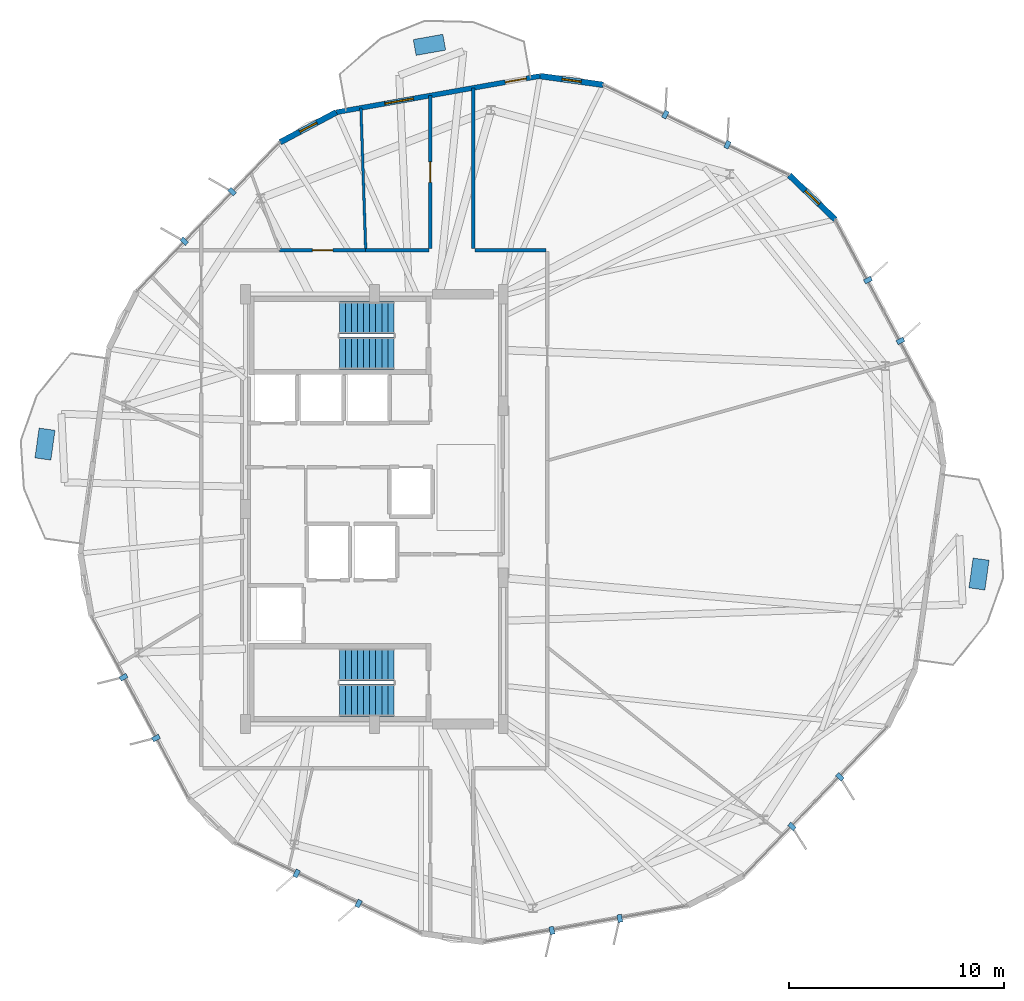
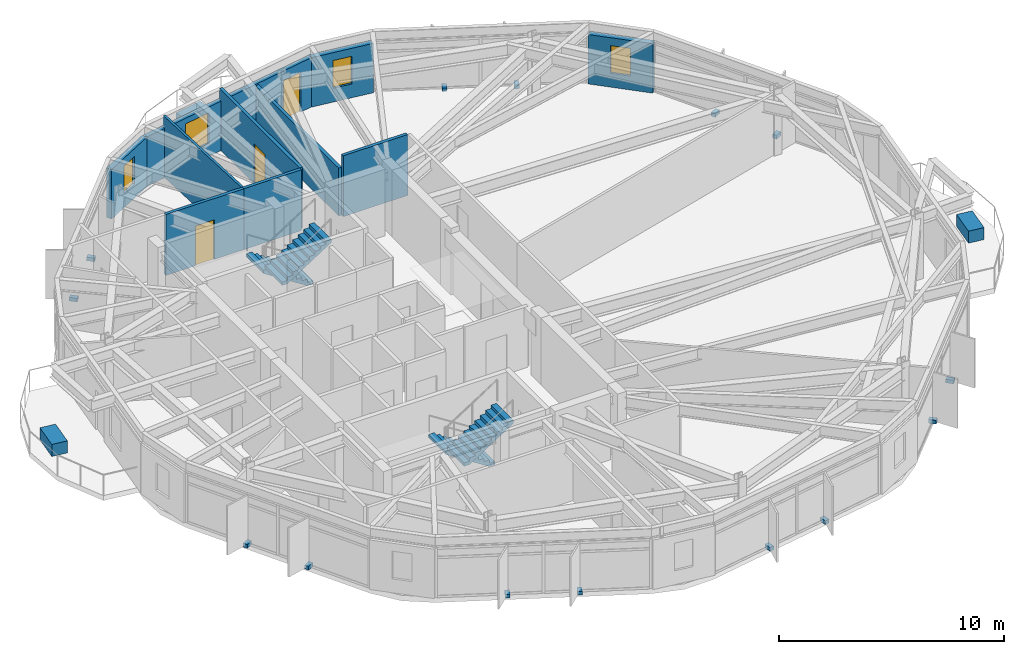
# One storey, part 25 of 28: 17 discrete accessories, 10 walls, 4 stair flights, 4 windows, 3 doors, 7 openings, 2 elements without a shape of their own.
"""IFC4 building model written with IfcOpenShell, lengths in metres."""

import ifcopenshell
import ifcopenshell.guid

model = None  # the IFC model being written
_history = None  # IfcOwnerHistory: only IFC2X3 demands one
_inside = {}  # id of a spatial element -> (the spatial element, [elements in it])
_under = {}  # id of a project, library or spatial element -> (it, [spatial elements below it])
_declared = {}  # id of a project -> (the project, [libraries it declares])
_typed = {}  # id of a type object -> (the type object, [elements of that type])
_made_of = {}  # id of a material, layer set ... -> (it, [elements and type objects made of it])


def new_model(schema):
    """Start an empty IFC model of exactly this schema.

    Asked for "IFC4X3", IfcOpenShell would pick the latest addendum, in which some entities
    have other attributes; the version numbers below select the first issue.
    IFC2X3 requires an IfcOwnerHistory on every rooted entity: one is made here for all.
    """
    global model, _history
    if schema == "IFC4X3":
        model = ifcopenshell.file(schema_version=(4, 3, 0, 0))
    else:
        model = ifcopenshell.file(schema=schema)
    _inside.clear()
    _under.clear()
    _declared.clear()
    _typed.clear()
    _made_of.clear()
    _history = None
    if model.schema == "IFC2X3":
        org = make("IfcOrganization", Name="unknown")
        user = make(
            "IfcPersonAndOrganization",
            ThePerson=make("IfcPerson", FamilyName="unknown"),
            TheOrganization=org,
        )
        app = make(
            "IfcApplication",
            ApplicationDeveloper=org,
            Version="unknown",
            ApplicationFullName="unknown",
            ApplicationIdentifier="unknown",
        )
        _history = make(
            "IfcOwnerHistory",
            OwningUser=user,
            OwningApplication=app,
            ChangeAction="ADDED",
            CreationDate=0,
        )
    return model


def make(cls, **values):
    """One entity of the class cls with the attributes given. An attribute that is None is left unset."""
    return model.create_entity(
        cls, **{name: value for name, value in values.items() if value is not None}
    )


def rooted(cls, **values):
    """An entity with a GlobalId (a new one), such as an element, a storey or a relation."""
    return make(cls, GlobalId=ifcopenshell.guid.new(), OwnerHistory=_history, **values)


def si_unit(unit_type, name, prefix=None):
    """IfcSIUnit, for example si_unit("LENGTHUNIT", "METRE", prefix="MILLI")."""
    return make("IfcSIUnit", UnitType=unit_type, Prefix=prefix, Name=name)


def assignment(units):
    """IfcUnitAssignment: the units of a project."""
    return None if units is None else make("IfcUnitAssignment", Units=units)


def point(xyz):
    """IfcCartesianPoint."""
    return None if xyz is None else make("IfcCartesianPoint", Coordinates=xyz)


def direction(xyz):
    """IfcDirection."""
    return None if xyz is None else make("IfcDirection", DirectionRatios=xyz)


def frame(location, z_axis=None, x_axis=None):
    """IfcAxis2Placement3D, a coordinate frame: its origin and axes. An axis left out is left unset."""
    return make(
        "IfcAxis2Placement3D",
        Location=point(location),
        Axis=direction(z_axis),
        RefDirection=direction(x_axis),
    )


def frame_2d(location, x_axis=None):
    """IfcAxis2Placement2D, a coordinate frame in the plane: its origin and x axis."""
    return make(
        "IfcAxis2Placement2D", Location=point(location), RefDirection=direction(x_axis)
    )


def origin():
    """The frame at (0, 0, 0) with its axes left unset."""
    return frame((0.0, 0.0, 0.0))


def origin_2d():
    """The frame at (0, 0) in the plane with its x axis left unset."""
    return frame_2d((0.0, 0.0))


def place(relative_to, where):
    """IfcLocalPlacement: puts the frame where relative to a parent placement (None: the world)."""
    return make(
        "IfcLocalPlacement", PlacementRelTo=relative_to, RelativePlacement=where
    )


def context(
    kind, dimensions, precision=None, world=None, true_north=None, identifier=None
):
    """IfcGeometricRepresentationContext, for example the 3D "Model" context."""
    return make(
        "IfcGeometricRepresentationContext",
        ContextIdentifier=identifier,
        ContextType=kind,
        CoordinateSpaceDimension=dimensions,
        Precision=precision,
        WorldCoordinateSystem=world,
        TrueNorth=true_north,
    )


def subcontext(parent, identifier, kind, view, scale=None):
    """IfcGeometricRepresentationSubContext, for example "Body" below "Model"."""
    return make(
        "IfcGeometricRepresentationSubContext",
        ContextIdentifier=identifier,
        ContextType=kind,
        ParentContext=parent,
        TargetScale=scale,
        TargetView=view,
    )


def project(units=None, contexts=None):
    """IfcProject with its units and contexts."""
    return rooted(
        "IfcProject",
        Name="project",
        RepresentationContexts=contexts,
        UnitsInContext=assignment(units),
    )


def spatial(cls, under=None, at=None, **own):
    """A site, building, storey or space (cls), placed at a placement, below another one or the project."""
    s = rooted(cls, ObjectPlacement=at, **own)
    if under is not None:
        _under.setdefault(under.id(), (under, []))[1].append(s)
    return s


def polyline(points):
    """IfcPolyline through the points."""
    return make("IfcPolyline", Points=[point(p) for p in points])


def profile(cls, at=None, kind="AREA", **sizes):
    """A parametric profile (cls). Its sizes go by their IFC names, for example OverallWidth=200.0."""
    return make(cls, ProfileType=kind, Position=at, **sizes)


def rectangle(**sizes):
    """IfcRectangleProfileDef."""
    return profile("IfcRectangleProfileDef", **sizes)


def outline(outer, holes=None, kind="AREA"):
    """IfcArbitraryClosedProfileDef: a profile drawn as a closed curve; with holes, ...WithVoids."""
    if holes is None:
        return make("IfcArbitraryClosedProfileDef", ProfileType=kind, OuterCurve=outer)
    return make(
        "IfcArbitraryProfileDefWithVoids",
        ProfileType=kind,
        OuterCurve=outer,
        InnerCurves=holes,
    )


def extrude(swept, where, along, depth):
    """IfcExtrudedAreaSolid: the profile swept, set in the frame where, extruded along a direction by depth."""
    return make(
        "IfcExtrudedAreaSolid",
        SweptArea=swept,
        Position=where,
        ExtrudedDirection=direction(along),
        Depth=depth,
    )


def shape(context_of_items, identifier, shape_type, items):
    """IfcShapeRepresentation: the items that make up one representation, for example the "Body"."""
    return make(
        "IfcShapeRepresentation",
        ContextOfItems=context_of_items,
        RepresentationIdentifier=identifier,
        RepresentationType=shape_type,
        Items=items,
    )


def material(Name=None, Category=None):
    """IfcMaterial."""
    return make("IfcMaterial", Name=Name, Category=Category)


def layer(
    of_material, thickness, ventilated=None, Name=None, Category=None, Priority=None
):
    """IfcMaterialLayer: one layer of a wall or slab, of a material (None: an air gap)."""
    return make(
        "IfcMaterialLayer",
        Material=of_material,
        LayerThickness=thickness,
        IsVentilated=ventilated,
        Name=Name,
        Category=Category,
        Priority=Priority,
    )


def layer_set(layers, Name=None):
    """IfcMaterialLayerSet."""
    return make("IfcMaterialLayerSet", MaterialLayers=layers, LayerSetName=Name)


def made_of(thing, what):
    """Note that an element or type object is made of a material, layer set ...; save() writes the relation."""
    if what is not None:
        _made_of.setdefault(what.id(), (what, []))[1].append(thing)
    return thing


def type_object(cls, material=None, **own):
    """A type object (cls), such as IfcWallType, which elements share."""
    return made_of(rooted(cls, **own), material)


def element(
    cls,
    number,
    at=None,
    inside=None,
    cuts=None,
    type_object=None,
    material=None,
    context=None,
    identifier="Body",
    shape_type=None,
    held_by="IfcProductDefinitionShape",
    body=None,
    shapes=None,
    **own,
):
    """One element of the class cls, such as IfcWall. Its Tag is "e" and its number.

    at: its placement. inside: the storey or other place that contains it. cuts: it is an
    opening in that element (IfcRelVoidsElement). A single representation is given by context,
    identifier, shape_type and body (its items); several are given by shapes. held_by: the class
    of the entity that holds the representations. save() writes the other relations.
    """
    e = rooted(cls, Tag="e%d" % number, ObjectPlacement=at, **own)
    if body is not None:
        shapes = [shape(context, identifier, shape_type, body)]
    if shapes is not None:
        e.Representation = make(held_by, Representations=shapes)
    if inside is not None:
        _inside.setdefault(inside.id(), (inside, []))[1].append(e)
    if cuts is not None:
        rooted(
            "IfcRelVoidsElement", RelatingBuildingElement=cuts, RelatedOpeningElement=e
        )
    if type_object is not None:
        _typed.setdefault(type_object.id(), (type_object, []))[1].append(e)
    return made_of(e, material)


def fill(opening, filler):
    """IfcRelFillsElement: the door or window that sits in an opening."""
    return rooted(
        "IfcRelFillsElement",
        RelatingOpeningElement=opening,
        RelatedBuildingElement=filler,
    )


def aggregate(whole, parts):
    """IfcRelAggregates: a whole, such as a stair, and the parts it consists of."""
    return rooted("IfcRelAggregates", RelatingObject=whole, RelatedObjects=parts)


def save(model, path):
    """Write the relations noted so far, then the file.

    IfcRelAggregates (storeys below a building ...), IfcRelContainedInSpatialStructure (elements
    in a storey), IfcRelDefinesByType, IfcRelAssociatesMaterial and IfcRelDeclares: one each for
    every whole, place, type object, material and project.
    """
    for whole, parts in _under.values():
        aggregate(whole, parts)
    for where, things in _inside.values():
        rooted(
            "IfcRelContainedInSpatialStructure",
            RelatedElements=things,
            RelatingStructure=where,
        )
    for kind, things in _typed.values():
        rooted("IfcRelDefinesByType", RelatedObjects=things, RelatingType=kind)
    for what, things in _made_of.values():
        rooted("IfcRelAssociatesMaterial", RelatedObjects=things, RelatingMaterial=what)
    for by, libraries in _declared.values():
        rooted("IfcRelDeclares", RelatingContext=by, RelatedDefinitions=libraries)
    model.write(path)


model = new_model("IFC4")

# Units and contexts
model_context = context("Model", 3, precision=1e-05, world=origin(), true_north=direction((0.0, 1.0)))
body_context = subcontext(model_context, "Body", "Model", "MODEL_VIEW")
ifc_project = project(units=[si_unit("LENGTHUNIT", "METRE"), si_unit("AREAUNIT", "SQUARE_METRE"), si_unit("VOLUMEUNIT", "CUBIC_METRE"), si_unit("PLANEANGLEUNIT", "RADIAN"), si_unit("MASSUNIT", "GRAM", prefix="KILO")], contexts=[model_context])

# Site, building, storey
site_placement = place(None, origin())
site = spatial("IfcSite", under=ifc_project, at=site_placement, CompositionType="ELEMENT")
building_placement = place(site_placement, origin())
building = spatial("IfcBuilding", under=site, at=building_placement, Name="Soratama Intermodal Tower", CompositionType="ELEMENT")
storey_placement = place(building_placement, frame((0.0, 0.0, 205.0)))
storey = spatial("IfcBuildingStorey", under=building, at=storey_placement, Name="L51", CompositionType="ELEMENT", Elevation=205.0)

# Wall, openings, door, window
ifc_material_1 = material(Name="Concrete f'c 42 MPa", Category="concrete")
ifc_layer_1 = layer(ifc_material_1, 0.22998046875)
ifc_layer_set_1 = layer_set([ifc_layer_1], Name="Concrete f'c 42 MPa")
wall_type_1 = type_object("IfcWallType", Name="EW-BAL-230", PredefinedType="SOLIDWALL", material=ifc_layer_set_1)
wall_1_placement = place(storey_placement, frame((46.3056640625, 45.1494140625, 0.0), z_axis=(0.0, 0.0, 1.0), x_axis=(-0.984566490569, -0.175010930084, 0.0)))
wall_1 = element("IfcWall", 1, at=wall_1_placement, inside=storey, type_object=wall_type_1, Name="L51 Terrace Wall F02", PredefinedType="SOLIDWALL", context=body_context, shape_type="SweptSolid", body=[
    extrude(rectangle(XDim=9.6240234375, YDim=0.22998046875, at=frame_2d((4.81201171875, 0.0))), origin(), (0.0, 0.0, 1.0), 2.678955078125),
])
opening_1_placement = place(wall_1_placement, frame((0.64990234375, 0.0, 0.0)))
opening_1 = element("IfcOpeningElement", 2, at=opening_1_placement, cuts=wall_1, Name="Opening ED-2", PredefinedType="OPENING", context=body_context, shape_type="SweptSolid", body=[
    extrude(rectangle(XDim=1.0, YDim=2.14990234375, at=frame_2d((0.5, 1.074951171875))), frame((0.0, 0.125, 0.0), z_axis=(0.0, -1.0, 0.0), x_axis=(1.0, 0.0, 0.0)), (0.0, 0.0, 1.0), 0.25),
])
opening_2_placement = place(wall_1_placement, frame((5.986083984375, 0.0, 0.719970703125)))
opening_2 = element("IfcOpeningElement", 3, at=opening_2_placement, cuts=wall_1, Name="Opening WN-4", PredefinedType="OPENING", context=body_context, shape_type="SweptSolid", body=[
    extrude(rectangle(XDim=1.35009765625, YDim=1.64990234375, at=frame_2d((0.675048828125, 0.824951171875))), frame((0.0, 0.125, 0.0), z_axis=(0.0, -1.0, 0.0), x_axis=(1.0, 0.0, 0.0)), (0.0, 0.0, 1.0), 0.25),
])
ifc_material_2 = material(Name="Double-glazed aluminium door", Category="aluminium")
door_type_1 = type_object("IfcDoorType", Name="DR-BAL-1000", OperationType="NOTDEFINED", PredefinedType="DOOR", material=ifc_material_2)
door_1_placement = place(opening_1_placement, origin())
door_1 = element("IfcDoor", 4, at=door_1_placement, inside=storey, type_object=door_type_1, Name="L51 Balcony Door F02", OperationType="SINGLE_SWING_RIGHT", OverallHeight=2.14990234375, OverallWidth=1.0, PredefinedType="DOOR", context=body_context, shape_type="SweptSolid", body=[
    extrude(rectangle(XDim=1.0, YDim=2.14990234375, at=frame_2d((0.5, 1.074951171875))), frame((0.0, 0.02490234375, 0.0), z_axis=(0.0, -1.0, 0.0), x_axis=(1.0, 0.0, 0.0)), (0.0, 0.0, 1.0), 0.050048828125),
])
fill(opening_1, door_1)
ifc_material_3 = material(Name="Double-glazed aluminium window", Category="aluminium")
window_type_1 = type_object("IfcWindowType", Name="WN-FAC-1350", PartitioningType="SINGLE_PANEL", PredefinedType="WINDOW", material=ifc_material_3)
window_1_placement = place(opening_2_placement, origin())
window_1 = element("IfcWindow", 5, at=window_1_placement, inside=storey, type_object=window_type_1, Name="L51 Window B F02", OverallHeight=1.64990234375, OverallWidth=1.35009765625, PartitioningType="SINGLE_PANEL", PredefinedType="WINDOW", context=body_context, shape_type="SweptSolid", body=[
    extrude(rectangle(XDim=1.35009765625, YDim=1.64990234375, at=frame_2d((0.675048828125, 0.824951171875))), frame((0.0, 0.030029296875, 0.0), z_axis=(0.0, -1.0, 0.0), x_axis=(1.0, 0.0, 0.0)), (0.0, 0.0, 1.0), 0.06005859375),
])
fill(opening_2, window_1)

# Wall, opening, window
ifc_material_4 = material(Name="Concrete f'c 42 MPa", Category="concrete")
ifc_layer_2 = layer(ifc_material_4, 0.27001953125)
ifc_layer_set_2 = layer_set([ifc_layer_2], Name="Concrete f'c 42 MPa")
wall_type_2 = type_object("IfcWallType", Name="EW-CRN-270", PredefinedType="SOLIDWALL", material=ifc_layer_set_2)
wall_2_placement = place(storey_placement, frame((49.243896484375, 44.74072265625, 0.0), z_axis=(0.0, 0.0, 1.0), x_axis=(-0.990464529439, 0.137767978586, 0.0)))
wall_2 = element("IfcWall", 6, at=wall_2_placement, inside=storey, type_object=wall_type_2, Name="L51 Corner Closure Wall 01", PredefinedType="SOLIDWALL", context=body_context, shape_type="SweptSolid", body=[
    extrude(rectangle(XDim=2.966552734375, YDim=0.27001953125, at=frame_2d((1.4833984375, 0.0))), origin(), (0.0, 0.0, 1.0), 2.678955078125),
])
opening_3_placement = place(wall_2_placement, frame((1.033203125, 0.0, 0.75)))
opening_3 = element("IfcOpeningElement", 7, at=opening_3_placement, cuts=wall_2, Name="Opening WN-6", PredefinedType="OPENING", context=body_context, shape_type="SweptSolid", body=[
    extrude(rectangle(XDim=0.89990234375, YDim=1.5, at=frame_2d((0.449951171875, 0.75))), frame((0.0, 0.14501953125, 0.0), z_axis=(0.0, -1.0, 0.0), x_axis=(1.0, 0.0, 0.0)), (0.0, 0.0, 1.0), 0.2900390625),
])
ifc_material_5 = material(Name="Double-glazed aluminium window", Category="aluminium")
window_type_2 = type_object("IfcWindowType", Name="WN-FAC-900", PartitioningType="SINGLE_PANEL", PredefinedType="WINDOW", material=ifc_material_5)
window_2_placement = place(opening_3_placement, origin())
window_2 = element("IfcWindow", 8, at=window_2_placement, inside=storey, type_object=window_type_2, Name="L51 Corner Window 01", OverallHeight=1.5, OverallWidth=0.89990234375, PartitioningType="SINGLE_PANEL", PredefinedType="WINDOW", context=body_context, shape_type="SweptSolid", body=[
    extrude(rectangle(XDim=0.89990234375, YDim=1.5, at=frame_2d((0.449951171875, 0.75))), frame((0.0, 0.030029296875, 0.0), z_axis=(0.0, -1.0, 0.0), x_axis=(1.0, 0.0, 0.0)), (0.0, 0.0, 1.0), 0.06005859375),
])
fill(opening_3, window_2)

wall_3_placement = place(storey_placement, frame((36.830078125, 43.465087890625, 0.0), z_axis=(0.0, 0.0, 1.0), x_axis=(-0.882280032982, -0.470724912663, 0.0)))
wall_3 = element("IfcWall", 9, at=wall_3_placement, inside=storey, type_object=wall_type_2, Name="L51 Corner Closure Wall 02", PredefinedType="SOLIDWALL", context=body_context, shape_type="SweptSolid", body=[
    extrude(rectangle(XDim=2.966552734375, YDim=0.27001953125, at=frame_2d((1.4833984375, 0.0))), origin(), (0.0, 0.0, 1.0), 2.678955078125),
])
opening_4_placement = place(wall_3_placement, frame((1.033203125, 0.0, 0.75)))
opening_4 = element("IfcOpeningElement", 10, at=opening_4_placement, cuts=wall_3, Name="Opening WN-6", PredefinedType="OPENING", context=body_context, shape_type="SweptSolid", body=[
    extrude(rectangle(XDim=0.89990234375, YDim=1.5, at=frame_2d((0.449951171875, 0.75))), frame((0.0, 0.14501953125, 0.0), z_axis=(0.0, -1.0, 0.0), x_axis=(1.0, 0.0, 0.0)), (0.0, 0.0, 1.0), 0.2900390625),
])
window_3_placement = place(opening_4_placement, origin())
window_3 = element("IfcWindow", 11, at=window_3_placement, inside=storey, type_object=window_type_2, Name="L51 Corner Window 02", OverallHeight=1.5, OverallWidth=0.89990234375, PartitioningType="SINGLE_PANEL", PredefinedType="WINDOW", context=body_context, shape_type="SweptSolid", body=[
    extrude(rectangle(XDim=0.89990234375, YDim=1.5, at=frame_2d((0.449951171875, 0.75))), frame((0.0, 0.030029296875, 0.0), z_axis=(0.0, -1.0, 0.0), x_axis=(1.0, 0.0, 0.0)), (0.0, 0.0, 1.0), 0.06005859375),
])
fill(opening_4, window_3)

wall_4_placement = place(storey_placement, frame((60.03662109375, 38.47607421875, 0.0), z_axis=(0.0, 0.0, 1.0), x_axis=(-0.720273000242, 0.69369071287, 0.0)))
wall_4 = element("IfcWall", 12, at=wall_4_placement, inside=storey, type_object=wall_type_2, Name="L51 Corner Closure Wall 10", PredefinedType="SOLIDWALL", context=body_context, shape_type="SweptSolid", body=[
    extrude(rectangle(XDim=2.966552734375, YDim=0.27001953125, at=frame_2d((1.4833984375, 0.0))), origin(), (0.0, 0.0, 1.0), 2.678955078125),
])
opening_5_placement = place(wall_4_placement, frame((1.033203125, 0.0, 0.75)))
opening_5 = element("IfcOpeningElement", 13, at=opening_5_placement, cuts=wall_4, Name="Opening WN-6", PredefinedType="OPENING", context=body_context, shape_type="SweptSolid", body=[
    extrude(rectangle(XDim=0.89990234375, YDim=1.5, at=frame_2d((0.449951171875, 0.75))), frame((0.0, 0.14501953125, 0.0), z_axis=(0.0, -1.0, 0.0), x_axis=(1.0, 0.0, 0.0)), (0.0, 0.0, 1.0), 0.2900390625),
])
window_4_placement = place(opening_5_placement, origin())
window_4 = element("IfcWindow", 14, at=window_4_placement, inside=storey, type_object=window_type_2, Name="L51 Corner Window 10", OverallHeight=1.5, OverallWidth=0.89990234375, PartitioningType="SINGLE_PANEL", PredefinedType="WINDOW", context=body_context, shape_type="SweptSolid", body=[
    extrude(rectangle(XDim=0.89990234375, YDim=1.5, at=frame_2d((0.449951171875, 0.75))), frame((0.0, 0.030029296875, 0.0), z_axis=(0.0, -1.0, 0.0), x_axis=(1.0, 0.0, 0.0)), (0.0, 0.0, 1.0), 0.06005859375),
])
fill(opening_5, window_4)

# Wall
ifc_material_6 = material(Name="Fire-rated gypsum stud partition", Category="concrete")
ifc_layer_3 = layer(ifc_material_6, 0.159912109375)
ifc_layer_set_3 = layer_set([ifc_layer_3], Name="Fire-rated gypsum stud partition")
wall_type_3 = type_object("IfcWallType", Name="IW-PART-R160", PredefinedType="PARTITIONING", material=ifc_layer_set_3)
wall_5_placement = place(storey_placement, frame((43.199951171875, 44.596923828125, 0.0), z_axis=(0.0, 0.0, 1.0), x_axis=(0.0, -1.0, 0.0)))
element("IfcWall", 15, at=wall_5_placement, inside=storey, type_object=wall_type_3, Name="L51 Partition W-L51-TP008", PredefinedType="PARTITIONING", context=body_context, shape_type="SweptSolid", body=[
    extrude(rectangle(XDim=7.476806640625, YDim=0.159912109375, at=frame_2d((3.73828125, 0.0))), origin(), (0.0, 0.0, 1.0), 2.594970703125),
])

# Wall, opening, door
wall_6_placement = place(storey_placement, frame((41.199951171875, 37.1201171875, 0.0), z_axis=(0.0, 0.0, 1.0), x_axis=(0.0, 1.0, 0.0)))
wall_6 = element("IfcWall", 16, at=wall_6_placement, inside=storey, type_object=wall_type_3, Name="L51 Partition W-L51-TP009", PredefinedType="PARTITIONING", context=body_context, shape_type="SweptSolid", body=[
    extrude(rectangle(XDim=7.121826171875, YDim=0.159912109375, at=frame_2d((3.56103515625, 0.0))), origin(), (0.0, 0.0, 1.0), 3.300048828125),
])
opening_6_placement = place(wall_6_placement, frame((3.0859375, 0.0, 0.0)))
opening_6 = element("IfcOpeningElement", 17, at=opening_6_placement, cuts=wall_6, Name="Opening ID-3", PredefinedType="OPENING", context=body_context, shape_type="SweptSolid", body=[
    extrude(rectangle(XDim=0.949951171875, YDim=2.14990234375, at=frame_2d((0.47509765625, 1.074951171875))), frame((0.0, 0.08984375, 0.0), z_axis=(0.0, -1.0, 0.0), x_axis=(1.0, 0.0, 0.0)), (0.0, 0.0, 1.0), 0.179931640625),
])
ifc_material_7 = material(Name="Solid hardwood acoustic door", Category="wood")
door_type_2 = type_object("IfcDoorType", Name="DR-ROOM-950", OperationType="NOTDEFINED", PredefinedType="DOOR", material=ifc_material_7)
door_2_placement = place(opening_6_placement, origin())
door_2 = element("IfcDoor", 18, at=door_2_placement, inside=storey, type_object=door_type_2, Name="L51 Door D-L51-TP006", OperationType="SINGLE_SWING_LEFT", OverallHeight=2.14990234375, OverallWidth=0.949951171875, PredefinedType="DOOR", context=body_context, shape_type="SweptSolid", body=[
    extrude(rectangle(XDim=0.949951171875, YDim=2.14990234375, at=frame_2d((0.47509765625, 1.074951171875))), frame((0.0, 0.02490234375, 0.0), z_axis=(0.0, -1.0, 0.0), x_axis=(1.0, 0.0, 0.0)), (0.0, 0.0, 1.0), 0.050048828125),
])
fill(opening_6, door_2)

wall_7_placement = place(storey_placement, frame((34.177978515625, 37.050048828125, 0.0), z_axis=(0.0, 0.0, 1.0), x_axis=(1.0, 0.0, 0.0)))
wall_7 = element("IfcWall", 19, at=wall_7_placement, inside=storey, type_object=wall_type_3, Name="L51 Partition W-L51-TP022", PredefinedType="PARTITIONING", context=body_context, shape_type="SweptSolid", body=[
    extrude(rectangle(XDim=4.01513671875, YDim=0.159912109375, at=frame_2d((2.007568359375, 0.0))), origin(), (0.0, 0.0, 1.0), 3.300048828125),
])
opening_7_placement = place(wall_7_placement, frame((1.532958984375, 0.0, 0.0)))
opening_7 = element("IfcOpeningElement", 20, at=opening_7_placement, cuts=wall_7, Name="Opening ID-3", PredefinedType="OPENING", context=body_context, shape_type="SweptSolid", body=[
    extrude(rectangle(XDim=0.949951171875, YDim=2.14990234375, at=frame_2d((0.47509765625, 1.074951171875))), frame((0.0, 0.08984375, 0.0), z_axis=(0.0, -1.0, 0.0), x_axis=(1.0, 0.0, 0.0)), (0.0, 0.0, 1.0), 0.179931640625),
])
door_3_placement = place(opening_7_placement, origin())
door_3 = element("IfcDoor", 21, at=door_3_placement, inside=storey, type_object=door_type_2, Name="L51 Door D-L51-TP011", OperationType="SINGLE_SWING_RIGHT", OverallHeight=2.14990234375, OverallWidth=0.949951171875, PredefinedType="DOOR", context=body_context, shape_type="SweptSolid", body=[
    extrude(rectangle(XDim=0.949951171875, YDim=2.14990234375, at=frame_2d((0.47509765625, 1.074951171875))), frame((0.0, 0.02490234375, 0.0), z_axis=(0.0, -1.0, 0.0), x_axis=(1.0, 0.0, 0.0)), (0.0, 0.0, 1.0), 0.050048828125),
])
fill(opening_7, door_3)

# Walls
wall_8_placement = place(storey_placement, frame((43.27001953125, 37.050048828125, 0.0), z_axis=(0.0, 0.0, 1.0), x_axis=(1.0, 0.0, 0.0)))
element("IfcWall", 22, at=wall_8_placement, inside=storey, type_object=wall_type_3, Name="L51 Partition W-L51-TP026", PredefinedType="PARTITIONING", context=body_context, shape_type="SweptSolid", body=[
    extrude(rectangle(XDim=3.31005859375, YDim=0.159912109375, at=frame_2d((1.655029296875, 0.0))), origin(), (0.0, 0.0, 1.0), 3.300048828125),
])
wall_9_placement = place(storey_placement, frame((38.193115234375, 37.050048828125, 0.0), z_axis=(0.0, 0.0, 1.0), x_axis=(1.0, 0.0, 0.0)))
element("IfcWall", 23, at=wall_9_placement, inside=storey, type_object=wall_type_3, Name="L51 Partition W-L51-TP029", PredefinedType="PARTITIONING", context=body_context, shape_type="SweptSolid", body=[
    extrude(rectangle(XDim=2.936767578125, YDim=0.159912109375, at=frame_2d((1.46826171875, 0.0))), origin(), (0.0, 0.0, 1.0), 3.300048828125),
])
ifc_material_8 = material(Name="Fire-rated gypsum stud partition", Category="concrete")
ifc_layer_4 = layer(ifc_material_8, 0.1201171875)
ifc_layer_set_4 = layer_set([ifc_layer_4], Name="Fire-rated gypsum stud partition")
wall_type_4 = type_object("IfcWallType", Name="IW-PART-S120", PredefinedType="PARTITIONING", material=ifc_layer_set_4)
wall_10_placement = place(storey_placement, frame((38.193115234375, 37.050048828125, 0.0), z_axis=(0.0, 0.0, 1.0), x_axis=(-0.033699076648, 0.999432024819, 0.0)))
element("IfcWall", 24, at=wall_10_placement, inside=storey, type_object=wall_type_4, Name="L51 Partition W-L51-TP012", PredefinedType="PARTITIONING", context=body_context, shape_type="SweptSolid", body=[
    extrude(rectangle(XDim=6.62158203125, YDim=0.1201171875, at=frame_2d((3.310791015625, 0.0))), origin(), (0.0, 0.0, 1.0), 3.300048828125),
])

# Stair, stair flights
ifc_material_9 = material(Name="Concrete f'c 42 MPa", Category="concrete")
stair_type = type_object("IfcStairType", Name="ST-CORE-DOGLEG", PredefinedType="HALF_TURN_STAIR", material=ifc_material_9)
stair_1_placement = place(storey_placement, origin())
stair_1 = element("IfcStair", 25, at=stair_1_placement, inside=storey, type_object=stair_type, Name="L51 ST-1", PredefinedType="HALF_TURN_STAIR")
ifc_material_10 = material(Name="Precast concrete f'c 40 MPa", Category="concrete")
ifc_layer_5 = layer(ifc_material_10, 0.199951171875)
ifc_layer_set_5 = layer_set([ifc_layer_5], Name="Precast concrete f'c 40 MPa")
stair_flight_type = type_object("IfcStairFlightType", Name="SF-FLIGHT-RC", PredefinedType="STRAIGHT", material=ifc_layer_set_5)
stair_flight_1_placement = place(storey_placement, frame((39.5, 17.75, 0.0), z_axis=(0.0, 0.0, 1.0), x_axis=(-1.0, 0.0, 0.0)))
stair_flight_1 = element("IfcStairFlight", 26, at=stair_flight_1_placement, type_object=stair_flight_type, Name="ST-1 flight 1", NumberOfRisers=10, NumberOfTreads=9, PredefinedType="STRAIGHT", RiserHeight=0.18, TreadLength=0.28, context=body_context, shape_type="SweptSolid", body=[
    extrude(outline(polyline([(0.0, 0.0), (0.0, 0.179931640625), (0.280029296875, 0.179931640625), (0.280029296875, 0.360107421875), (0.56005859375, 0.360107421875), (0.56005859375, 0.5400390625), (0.840087890625, 0.5400390625), (0.840087890625, 0.719970703125), (1.1201171875, 0.719970703125), (1.1201171875, 0.89990234375), (1.39990234375, 0.89990234375), (1.39990234375, 1.080078125), (1.679931640625, 1.080078125), (1.679931640625, 1.260009765625), (1.9599609375, 1.260009765625), (1.9599609375, 1.43994140625), (2.239990234375, 1.43994140625), (2.239990234375, 1.6201171875), (2.52001953125, 1.6201171875), (2.52001953125, 1.800048828125), (2.52001953125, 1.44189453125), (0.277099609375, 0.0), (0.0, 0.0)])), frame((0.0, 0.75, 0.0), z_axis=(0.0, -1.0, 0.0), x_axis=(1.0, 0.0, 0.0)), (0.0, 0.0, 1.0), 1.5),
])
stair_flight_2_placement = place(storey_placement, frame((36.97998046875, 16.10009765625, 1.800048828125), z_axis=(0.0, 0.0, 1.0), x_axis=(1.0, 0.0, 0.0)))
stair_flight_2 = element("IfcStairFlight", 27, at=stair_flight_2_placement, type_object=stair_flight_type, Name="ST-1 flight 2", NumberOfRisers=10, NumberOfTreads=9, PredefinedType="STRAIGHT", RiserHeight=0.18, TreadLength=0.28, context=body_context, shape_type="SweptSolid", body=[
    extrude(outline(polyline([(0.0, 0.0), (0.0, 0.179931640625), (0.280029296875, 0.179931640625), (0.280029296875, 0.360107421875), (0.56005859375, 0.360107421875), (0.56005859375, 0.5400390625), (0.840087890625, 0.5400390625), (0.840087890625, 0.719970703125), (1.1201171875, 0.719970703125), (1.1201171875, 0.89990234375), (1.39990234375, 0.89990234375), (1.39990234375, 1.080078125), (1.679931640625, 1.080078125), (1.679931640625, 1.260009765625), (1.9599609375, 1.260009765625), (1.9599609375, 1.43994140625), (2.239990234375, 1.43994140625), (2.239990234375, 1.6201171875), (2.52001953125, 1.6201171875), (2.52001953125, 1.800048828125), (2.52001953125, 1.44189453125), (0.277099609375, 0.0), (0.0, 0.0)])), frame((0.0, 0.75, 0.0), z_axis=(0.0, -1.0, 0.0), x_axis=(1.0, 0.0, 0.0)), (0.0, 0.0, 1.0), 1.5),
])
aggregate(stair_1, [stair_flight_1, stair_flight_2])

stair_2_placement = place(storey_placement, origin())
stair_2 = element("IfcStair", 28, at=stair_2_placement, inside=storey, type_object=stair_type, Name="L51 ST-2", PredefinedType="HALF_TURN_STAIR")
stair_flight_3_placement = place(storey_placement, frame((39.5, 33.89990234375, 0.0), z_axis=(0.0, 0.0, 1.0), x_axis=(-1.0, 0.0, 0.0)))
stair_flight_3 = element("IfcStairFlight", 29, at=stair_flight_3_placement, type_object=stair_flight_type, Name="ST-2 flight 1", NumberOfRisers=10, NumberOfTreads=9, PredefinedType="STRAIGHT", RiserHeight=0.18, TreadLength=0.28, context=body_context, shape_type="SweptSolid", body=[
    extrude(outline(polyline([(0.0, 0.0), (0.0, 0.179931640625), (0.280029296875, 0.179931640625), (0.280029296875, 0.360107421875), (0.56005859375, 0.360107421875), (0.56005859375, 0.5400390625), (0.840087890625, 0.5400390625), (0.840087890625, 0.719970703125), (1.1201171875, 0.719970703125), (1.1201171875, 0.89990234375), (1.39990234375, 0.89990234375), (1.39990234375, 1.080078125), (1.679931640625, 1.080078125), (1.679931640625, 1.260009765625), (1.9599609375, 1.260009765625), (1.9599609375, 1.43994140625), (2.239990234375, 1.43994140625), (2.239990234375, 1.6201171875), (2.52001953125, 1.6201171875), (2.52001953125, 1.800048828125), (2.52001953125, 1.44189453125), (0.277099609375, 0.0), (0.0, 0.0)])), frame((0.0, 0.75, 0.0), z_axis=(0.0, -1.0, 0.0), x_axis=(1.0, 0.0, 0.0)), (0.0, 0.0, 1.0), 1.5),
])
stair_flight_4_placement = place(storey_placement, frame((36.97998046875, 32.25, 1.800048828125), z_axis=(0.0, 0.0, 1.0), x_axis=(1.0, 0.0, 0.0)))
stair_flight_4 = element("IfcStairFlight", 30, at=stair_flight_4_placement, type_object=stair_flight_type, Name="ST-2 flight 2", NumberOfRisers=10, NumberOfTreads=9, PredefinedType="STRAIGHT", RiserHeight=0.18, TreadLength=0.28, context=body_context, shape_type="SweptSolid", body=[
    extrude(outline(polyline([(0.0, 0.0), (0.0, 0.179931640625), (0.280029296875, 0.179931640625), (0.280029296875, 0.360107421875), (0.56005859375, 0.360107421875), (0.56005859375, 0.5400390625), (0.840087890625, 0.5400390625), (0.840087890625, 0.719970703125), (1.1201171875, 0.719970703125), (1.1201171875, 0.89990234375), (1.39990234375, 0.89990234375), (1.39990234375, 1.080078125), (1.679931640625, 1.080078125), (1.679931640625, 1.260009765625), (1.9599609375, 1.260009765625), (1.9599609375, 1.43994140625), (2.239990234375, 1.43994140625), (2.239990234375, 1.6201171875), (2.52001953125, 1.6201171875), (2.52001953125, 1.800048828125), (2.52001953125, 1.44189453125), (0.277099609375, 0.0), (0.0, 0.0)])), frame((0.0, 0.75, 0.0), z_axis=(0.0, -1.0, 0.0), x_axis=(1.0, 0.0, 0.0)), (0.0, 0.0, 1.0), 1.5),
])
aggregate(stair_2, [stair_flight_3, stair_flight_4])

# Discrete accessories
ifc_material_11 = material(Name="Structural steel ASTM A992 Grade 50", Category="steel")
discrete_accessory_type_1 = type_object("IfcDiscreteAccessoryType", Name="AC-FIN-BRACKET", PredefinedType="BRACKET", material=ifc_material_11)
for number, where, z_axis, x_axis, name in (
    (31, (55.023193359375, 41.9541015625, -0.080078125), (0.0, 0.0, 1.0), (0.437115766651, 0.899405251566, 0.0), "L51 Fin Bracket F01-1"),
    (32, (52.137939453125, 43.3564453125, -0.080078125), (0.0, 0.0, 1.0), (0.437115766651, 0.899405251566, 0.0), "L51 Fin Bracket F01-2"),
    (33, (31.972900390625, 39.771728515625, -0.080078125), (0.0, 0.0, 1.0), (-0.720309024888, 0.693653305813, 0.0), "L51 Fin Bracket F03-1"),
    (34, (29.747802734375, 37.4609375, -0.080078125), (0.0, 0.0, 1.0), (-0.720309024888, 0.693653305813, 0.0), "L51 Fin Bracket F03-2"),
    (35, (26.92578125, 17.17529296875, -0.080078125), (0.0, 0.0, 1.0), (-0.882291226435, -0.470703932165, 0.0), "L51 Fin Bracket F05-1"),
    (36, (28.435791015625, 14.344970703125, -0.080078125), (0.0, 0.0, 1.0), (-0.882291226435, -0.470703932165, 0.0), "L51 Fin Bracket F05-2"),
    (37, (34.976806640625, 8.0458984375, -0.080078125), (0.0, 0.0, 1.0), (-0.437115766651, -0.899405251566, 0.0), "L51 Fin Bracket F06-1"),
    (38, (37.862060546875, 6.6435546875, -0.080078125), (0.0, 0.0, 1.0), (-0.437115766651, -0.899405251566, 0.0), "L51 Fin Bracket F06-2"),
    (39, (46.8564453125, 5.392333984375, -0.080078125), (0.0, 0.0, 1.0), (0.175023058975, -0.984564334529, 0.0), "L51 Fin Bracket F07-1"),
    (40, (50.014892578125, 5.953857421875, -0.080078125), (0.0, 0.0, 1.0), (0.175023058975, -0.984564334529, 0.0), "L51 Fin Bracket F07-2"),
    (41, (58.027099609375, 10.228271484375, -0.080078125), (0.0, 0.0, 1.0), (0.720309024888, -0.693653305813, 0.0), "L51 Fin Bracket F08-1"),
    (42, (60.252197265625, 12.5390625, -0.080078125), (0.0, 0.0, 1.0), (0.720309024888, -0.693653305813, 0.0), "L51 Fin Bracket F08-2"),
    (43, (63.07421875, 32.82470703125, -0.080078125), (0.0, 0.0, 1.0), (0.882291226435, 0.470703932165, 0.0), "L51 Fin Bracket F10-1"),
    (44, (61.564208984375, 35.655029296875, -0.080078125), (0.0, 0.0, 1.0), (0.882291226435, 0.470703932165, 0.0), "L51 Fin Bracket F10-2"),
):
    element("IfcDiscreteAccessory", number, at=place(storey_placement, frame(where, z_axis=z_axis, x_axis=x_axis)), inside=storey, type_object=discrete_accessory_type_1, Name=name, PredefinedType="BRACKET", context=body_context, shape_type="SweptSolid", body=[
        extrude(rectangle(XDim=0.360107421875, YDim=0.219970703125, at=origin_2d()), origin(), (0.0, 0.0, 1.0), 0.199951171875),
    ])
ifc_material_12 = material(Name="Precast concrete f'c 40 MPa", Category="concrete")
discrete_accessory_type_2 = type_object("IfcDiscreteAccessoryType", Name="AC-PLANTER-TREE", PredefinedType="USERDEFINED", material=ifc_material_12)
for number, where, z_axis, x_axis, name in (
    (45, (66.730712890625, 21.976806640625, 0.0), (0.0, 0.0, 1.0), (0.990461425697, -0.137790290685, 0.0), "L51 Tree Planter 1"),
    (46, (41.159912109375, 46.601318359375, 0.0), (0.0, 0.0, 1.0), (-0.175023058975, 0.984564334529, 0.0), "L51 Tree Planter 2"),
    (47, (23.269287109375, 28.023193359375, 0.0), (0.0, 0.0, 1.0), (-0.990461425697, 0.137790290685, 0.0), "L51 Tree Planter 3"),
):
    element("IfcDiscreteAccessory", number, at=place(storey_placement, frame(where, z_axis=z_axis, x_axis=x_axis)), inside=storey, type_object=discrete_accessory_type_2, Name=name, ObjectType="PLANTER", PredefinedType="USERDEFINED", context=body_context, shape_type="SweptSolid", body=[
        extrude(rectangle(XDim=0.75, YDim=1.39990234375, at=origin_2d()), origin(), (0.0, 0.0, 1.0), 0.64990234375),
    ])

save(model, "model.ifc")
